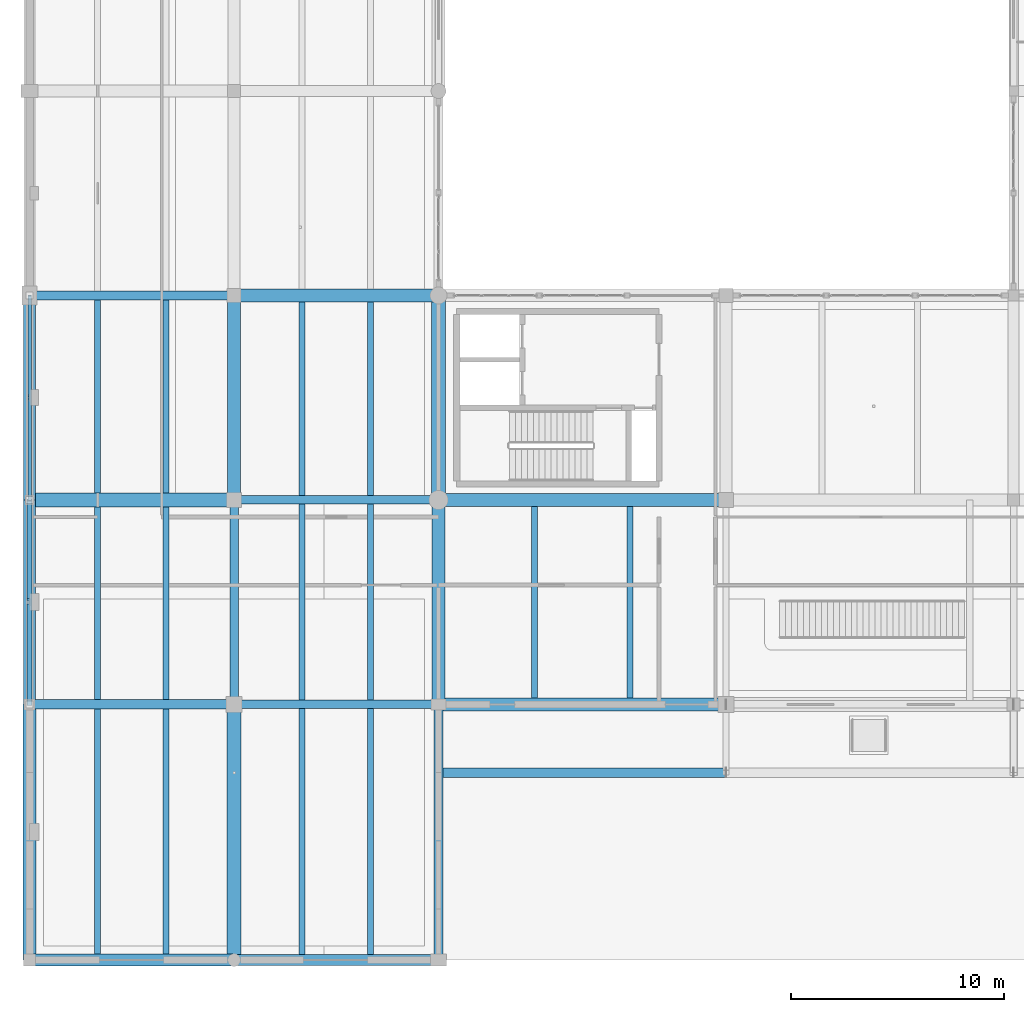
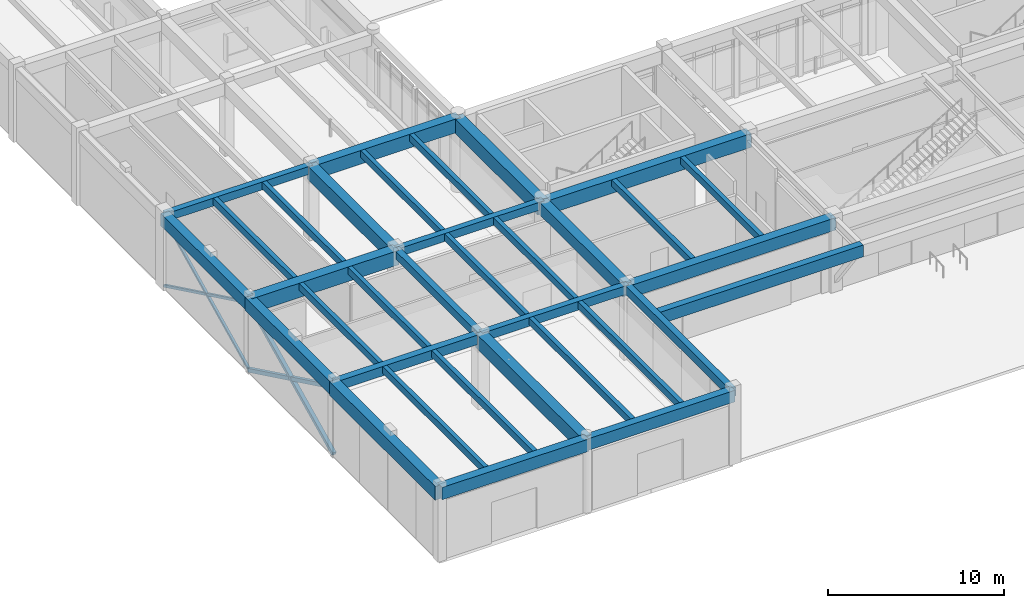
# One storey, part 4 of 138: 34 beams, 6 members.
"""IFC4 building model written with IfcOpenShell, lengths in metres."""

from ifc_helpers import new_model, si_unit, direction, frame, origin, origin_2d, place, context, subcontext, project, spatial, rectangle, hollow_rectangle, extrude, material, material_profile, profile_set, type_object, element, save


model = new_model("IFC4")

# Units and contexts
model_context = context("Model", 3, precision=1e-05, world=origin(), true_north=direction((0.0, 1.0)))
body_context = subcontext(model_context, "Body", "Model", "MODEL_VIEW")
ifc_project = project(units=[si_unit("LENGTHUNIT", "METRE"), si_unit("AREAUNIT", "SQUARE_METRE"), si_unit("VOLUMEUNIT", "CUBIC_METRE"), si_unit("PLANEANGLEUNIT", "RADIAN"), si_unit("MASSUNIT", "GRAM", prefix="KILO")], contexts=[model_context])

# Site, building, storey
site_placement = place(None, origin())
site = spatial("IfcSite", under=ifc_project, at=site_placement, CompositionType="ELEMENT")
building_placement = place(site_placement, origin())
building = spatial("IfcBuilding", under=site, at=building_placement, Name="Fikremerkos Civic Library", CompositionType="ELEMENT")
storey_placement = place(building_placement, origin())
storey = spatial("IfcBuildingStorey", under=building, at=storey_placement, Name="L00", CompositionType="ELEMENT", Elevation=0.0)

# Members
ifc_material_1 = material(Name="Steel S355", Category="steel")
ifc_material_profile_1 = material_profile(ifc_material_1, hollow_rectangle(XDim=0.25, YDim=0.25, WallThickness=0.012451171875, at=origin_2d()), Name="SHS 250x250x12.5")
ifc_profile_set_1 = profile_set([ifc_material_profile_1], Name="Steel S355")
member_type_1 = type_object("IfcMemberType", Name="Diagonal brace BRC-01 SHS 250x250x12.5", PredefinedType="BRACE", material=ifc_profile_set_1)
member_1_placement = place(storey_placement, frame((0.0, 12.0, 0.0), z_axis=(0.0, 0.899986655298, 0.435917446641), x_axis=(-1.0, 0.0, 0.0)))
element("IfcMember", 1, at=member_1_placement, inside=storey, type_object=member_type_1, Name="Lateral X-brace continuous diagonal BRC-01 L00 #5", PredefinedType="BRACE", context=body_context, shape_type="SweptSolid", body=[
    extrude(hollow_rectangle(XDim=0.25, YDim=0.25, WallThickness=0.012451171875, at=origin_2d()), origin(), (0.0, 0.0, 1.0), 10.6669921875),
])
for number, where, z_axis, x_axis, name in (
    (2, (0.0, 21.60009765625, 0.0), (0.0, -0.899981900492, 0.435927263184), (1.0, 0.0, 0.0), "Lateral X-brace split lower segment BRC-01 L00 #5"),
    (3, (0.0, 16.67138671875, 2.387451171875), (0.0, -0.900000353439, 0.435889164593), (1.0, 0.0, 0.0), "Lateral X-brace split upper segment BRC-01 L00 #5"),
):
    element("IfcMember", number, at=place(storey_placement, frame(where, z_axis=z_axis, x_axis=x_axis)), inside=storey, type_object=member_type_1, Name=name, PredefinedType="BRACE", context=body_context, shape_type="SweptSolid", body=[
        extrude(hollow_rectangle(XDim=0.25, YDim=0.25, WallThickness=0.012451171875, at=origin_2d()), origin(), (0.0, 0.0, 1.0), 5.1904296875),
    ])
ifc_material_profile_2 = material_profile(ifc_material_1, hollow_rectangle(XDim=0.159912109375, YDim=0.159912109375, WallThickness=0.008056640625, at=origin_2d()), Name="SHS 160x160x8")
ifc_profile_set_2 = profile_set([ifc_material_profile_2], Name="Steel S355")
member_type_2 = type_object("IfcMemberType", Name="Diagonal brace BRC-03 SHS 160x160x8", PredefinedType="BRACE", material=ifc_profile_set_2)
member_2_placement = place(storey_placement, frame((0.0, 21.60009765625, 0.0), z_axis=(0.0, 0.899982305968, 0.435926426069), x_axis=(-1.0, 0.0, 0.0)))
element("IfcMember", 4, at=member_2_placement, inside=storey, type_object=member_type_2, Name="Lateral X-brace continuous diagonal BRC-03 L00 #6", PredefinedType="BRACE", context=body_context, shape_type="SweptSolid", body=[
    extrude(hollow_rectangle(XDim=0.159912109375, YDim=0.159912109375, WallThickness=0.008056640625, at=origin_2d()), origin(), (0.0, 0.0, 1.0), 10.666748046875),
])
for number, where, z_axis, x_axis, name in (
    (5, (0.0, 31.199951171875, 0.0), (0.0, -0.899980466215, 0.435930224269), (1.0, 0.0, 0.0), "Lateral X-brace split lower segment BRC-03 L00 #6"),
    (6, (0.0, 26.311767578125, 2.36767578125), (0.0, -0.899980466215, 0.435930224269), (1.0, 0.0, 0.0), "Lateral X-brace split upper segment BRC-03 L00 #6"),
):
    element("IfcMember", number, at=place(storey_placement, frame(where, z_axis=z_axis, x_axis=x_axis)), inside=storey, type_object=member_type_2, Name=name, PredefinedType="BRACE", context=body_context, shape_type="SweptSolid", body=[
        extrude(hollow_rectangle(XDim=0.159912109375, YDim=0.159912109375, WallThickness=0.008056640625, at=origin_2d()), origin(), (0.0, 0.0, 1.0), 5.2353515625),
    ])

# Beams
ifc_material_2 = material(Name="Concrete C40/50", Category="concrete")
ifc_material_profile_3 = material_profile(ifc_material_2, rectangle(XDim=0.280029296875, YDim=0.47998046875, at=origin_2d()), Name="RC 280x480")
ifc_profile_set_3 = profile_set([ifc_material_profile_3], Name="Concrete C40/50")
beam_type_1 = type_object("IfcBeamType", Name="Floor joist JS-04 RC 280x480", PredefinedType="JOIST", material=ifc_profile_set_3)
for number, where, z_axis, x_axis, name in (
    (7, (3.199951171875, 0.27490234375, 4.860107421875), (0.0, 1.0, 0.0), (-1.0, 0.0, 0.0), "Floor joist JS-04 L00 #269"),
    (8, (6.39990234375, 0.27490234375, 4.860107421875), (0.0, 1.0, 0.0), (-1.0, 0.0, 0.0), "Floor joist JS-04 L00 #270"),
):
    element("IfcBeam", number, at=place(storey_placement, frame(where, z_axis=z_axis, x_axis=x_axis)), inside=storey, type_object=beam_type_1, Name=name, PredefinedType="JOIST", context=body_context, shape_type="SweptSolid", body=[
        extrude(rectangle(XDim=0.280029296875, YDim=0.47998046875, at=origin_2d()), origin(), (0.0, 0.0, 1.0), 11.5),
    ])
for number, where, z_axis, x_axis, name in (
    (9, (3.199951171875, 12.22509765625, 4.860107421875), (0.0, 1.0, 0.0), (-1.0, 0.0, 0.0), "Floor joist JS-04 L00 #271"),
    (10, (6.39990234375, 12.22509765625, 4.860107421875), (0.0, 1.0, 0.0), (-1.0, 0.0, 0.0), "Floor joist JS-04 L00 #272"),
):
    element("IfcBeam", number, at=place(storey_placement, frame(where, z_axis=z_axis, x_axis=x_axis)), inside=storey, type_object=beam_type_1, Name=name, PredefinedType="JOIST", context=body_context, shape_type="SweptSolid", body=[
        extrude(rectangle(XDim=0.280029296875, YDim=0.47998046875, at=origin_2d()), origin(), (0.0, 0.0, 1.0), 9.0498046875),
    ])
for number, where, z_axis, x_axis, name in (
    (11, (3.199951171875, 21.925048828125, 4.860107421875), (0.0, 1.0, 0.0), (-1.0, 0.0, 0.0), "Floor joist JS-04 L00 #273"),
    (12, (6.39990234375, 21.925048828125, 4.860107421875), (0.0, 1.0, 0.0), (-1.0, 0.0, 0.0), "Floor joist JS-04 L00 #274"),
):
    element("IfcBeam", number, at=place(storey_placement, frame(where, z_axis=z_axis, x_axis=x_axis)), inside=storey, type_object=beam_type_1, Name=name, PredefinedType="JOIST", context=body_context, shape_type="SweptSolid", body=[
        extrude(rectangle(XDim=0.280029296875, YDim=0.47998046875, at=origin_2d()), origin(), (0.0, 0.0, 1.0), 9.074951171875),
    ])
for number, where, z_axis, x_axis, name in (
    (13, (12.800048828125, 0.25, 4.860107421875), (0.0, 1.0, 0.0), (-1.0, 0.0, 0.0), "Floor joist JS-04 L00 #290"),
    (14, (16.0, 0.25, 4.860107421875), (0.0, 1.0, 0.0), (-1.0, 0.0, 0.0), "Floor joist JS-04 L00 #291"),
):
    element("IfcBeam", number, at=place(storey_placement, frame(where, z_axis=z_axis, x_axis=x_axis)), inside=storey, type_object=beam_type_1, Name=name, PredefinedType="JOIST", context=body_context, shape_type="SweptSolid", body=[
        extrude(rectangle(XDim=0.280029296875, YDim=0.47998046875, at=origin_2d()), origin(), (0.0, 0.0, 1.0), 11.550048828125),
    ])
for number, where, z_axis, x_axis, name in (
    (15, (12.800048828125, 12.199951171875, 4.860107421875), (0.0, 1.0, 0.0), (-1.0, 0.0, 0.0), "Floor joist JS-04 L00 #292"),
    (16, (16.0, 12.199951171875, 4.860107421875), (0.0, 1.0, 0.0), (-1.0, 0.0, 0.0), "Floor joist JS-04 L00 #293"),
):
    element("IfcBeam", number, at=place(storey_placement, frame(where, z_axis=z_axis, x_axis=x_axis)), inside=storey, type_object=beam_type_1, Name=name, PredefinedType="JOIST", context=body_context, shape_type="SweptSolid", body=[
        extrude(rectangle(XDim=0.280029296875, YDim=0.47998046875, at=origin_2d()), origin(), (0.0, 0.0, 1.0), 9.199951171875),
    ])
for number, where, z_axis, x_axis, name in (
    (17, (12.800048828125, 21.800048828125, 4.860107421875), (0.0, 1.0, 0.0), (-1.0, 0.0, 0.0), "Floor joist JS-04 L00 #294"),
    (18, (16.0, 21.800048828125, 4.860107421875), (0.0, 1.0, 0.0), (-1.0, 0.0, 0.0), "Floor joist JS-04 L00 #295"),
):
    element("IfcBeam", number, at=place(storey_placement, frame(where, z_axis=z_axis, x_axis=x_axis)), inside=storey, type_object=beam_type_1, Name=name, PredefinedType="JOIST", context=body_context, shape_type="SweptSolid", body=[
        extrude(rectangle(XDim=0.280029296875, YDim=0.47998046875, at=origin_2d()), origin(), (0.0, 0.0, 1.0), 9.099853515625),
    ])
for number, where, z_axis, x_axis, name in (
    (19, (23.699951171875, 12.300048828125, 4.840087890625), (0.0, 1.0, 0.0), (-1.0, 0.0, 0.0), "Floor joist JS-04 L00 #300"),
    (20, (28.199951171875, 12.300048828125, 4.840087890625), (0.0, 1.0, 0.0), (-1.0, 0.0, 0.0), "Floor joist JS-04 L00 #301"),
):
    element("IfcBeam", number, at=place(storey_placement, frame(where, z_axis=z_axis, x_axis=x_axis)), inside=storey, type_object=beam_type_1, Name=name, PredefinedType="JOIST", context=body_context, shape_type="SweptSolid", body=[
        extrude(rectangle(XDim=0.280029296875, YDim=0.47998046875, at=origin_2d()), origin(), (0.0, 0.0, 1.0), 9.0),
    ])
ifc_material_profile_4 = material_profile(ifc_material_2, rectangle(XDim=0.60009765625, YDim=0.949951171875, at=origin_2d()), Name="RC 600x950")
ifc_profile_set_4 = profile_set([ifc_material_profile_4], Name="Concrete C40/50")
beam_type_2 = type_object("IfcBeamType", Name="Primary girder BM-01 RC 600x950", PredefinedType="BEAM", material=ifc_profile_set_4)
beam_1_placement = place(storey_placement, frame((19.199951171875, 21.60009765625, 4.60498046875), z_axis=(1.0, 0.0, 0.0), x_axis=(0.0, 1.0, 0.0)))
element("IfcBeam", 21, at=beam_1_placement, inside=storey, type_object=beam_type_2, Name="Primary girder BM-01 L00 grid F", PredefinedType="BEAM", context=body_context, shape_type="SweptSolid", body=[
    extrude(rectangle(XDim=0.60009765625, YDim=0.949951171875, at=origin_2d()), origin(), (0.0, 0.0, 1.0), 13.5),
])
beam_2_placement = place(storey_placement, frame((9.60009765625, 31.199951171875, 4.625), z_axis=(1.0, 0.0, 0.0), x_axis=(0.0, 1.0, 0.0)))
element("IfcBeam", 22, at=beam_2_placement, inside=storey, type_object=beam_type_2, Name="Primary girder BM-01 L00 grid G", PredefinedType="BEAM", context=body_context, shape_type="SweptSolid", body=[
    extrude(rectangle(XDim=0.60009765625, YDim=0.949951171875, at=origin_2d()), origin(), (0.0, 0.0, 1.0), 9.599853515625),
])
beam_3_placement = place(storey_placement, frame((0.0, 0.0, 4.625), z_axis=(0.0, 1.0, 0.0), x_axis=(-1.0, 0.0, 0.0)))
element("IfcBeam", 23, at=beam_3_placement, inside=storey, type_object=beam_type_2, Name="Primary girder BM-01 L00 grid 1", PredefinedType="BEAM", context=body_context, shape_type="SweptSolid", body=[
    extrude(rectangle(XDim=0.60009765625, YDim=0.949951171875, at=origin_2d()), origin(), (0.0, 0.0, 1.0), 12.0),
])
beam_4_placement = place(storey_placement, frame((9.60009765625, 21.60009765625, 4.625), z_axis=(0.0, 1.0, 0.0), x_axis=(-1.0, 0.0, 0.0)))
element("IfcBeam", 24, at=beam_4_placement, inside=storey, type_object=beam_type_2, Name="Primary girder BM-01 L00 grid 2", PredefinedType="BEAM", context=body_context, shape_type="SweptSolid", body=[
    extrude(rectangle(XDim=0.60009765625, YDim=0.949951171875, at=origin_2d()), origin(), (0.0, 0.0, 1.0), 9.599853515625),
])
ifc_material_profile_5 = material_profile(ifc_material_2, rectangle(XDim=0.550048828125, YDim=0.89990234375, at=origin_2d()), Name="RC 550x900")
ifc_profile_set_5 = profile_set([ifc_material_profile_5], Name="Concrete C40/50")
beam_type_3 = type_object("IfcBeamType", Name="Primary girder BM-02 RC 550x900", PredefinedType="BEAM", material=ifc_profile_set_5)
beam_5_placement = place(storey_placement, frame((0.0, 12.0, 4.64990234375), z_axis=(0.0, 1.0, 0.0), x_axis=(-1.0, 0.0, 0.0)))
element("IfcBeam", 25, at=beam_5_placement, inside=storey, type_object=beam_type_3, Name="Primary girder BM-02 L00 grid 1", PredefinedType="BEAM", context=body_context, shape_type="SweptSolid", body=[
    extrude(rectangle(XDim=0.550048828125, YDim=0.89990234375, at=origin_2d()), origin(), (0.0, 0.0, 1.0), 9.60009765625),
])
ifc_material_profile_6 = material_profile(ifc_material_2, rectangle(XDim=0.550048828125, YDim=0.85009765625, at=origin_2d()), Name="RC 550x850")
ifc_profile_set_6 = profile_set([ifc_material_profile_6], Name="Concrete C40/50")
beam_type_4 = type_object("IfcBeamType", Name="Primary girder BM-03 RC 550x850", PredefinedType="BEAM", material=ifc_profile_set_6)
beam_6_placement = place(storey_placement, frame((0.0, 0.0, 4.675048828125), z_axis=(1.0, 0.0, 0.0), x_axis=(0.0, 1.0, 0.0)))
element("IfcBeam", 26, at=beam_6_placement, inside=storey, type_object=beam_type_4, Name="Primary girder BM-03 L00 grid A", PredefinedType="BEAM", context=body_context, shape_type="SweptSolid", body=[
    extrude(rectangle(XDim=0.550048828125, YDim=0.85009765625, at=origin_2d()), origin(), (0.0, 0.0, 1.0), 9.60009765625),
])
beam_7_placement = place(storey_placement, frame((0.0, 21.60009765625, 4.675048828125), z_axis=(0.0, 1.0, 0.0), x_axis=(-1.0, 0.0, 0.0)))
element("IfcBeam", 27, at=beam_7_placement, inside=storey, type_object=beam_type_4, Name="Primary girder BM-03 L00 grid 1", PredefinedType="BEAM", context=body_context, shape_type="SweptSolid", body=[
    extrude(rectangle(XDim=0.550048828125, YDim=0.85009765625, at=origin_2d()), origin(), (0.0, 0.0, 1.0), 9.599853515625),
])
ifc_material_profile_7 = material_profile(ifc_material_2, rectangle(XDim=0.5, YDim=0.800048828125, at=origin_2d()), Name="RC 500x800")
ifc_profile_set_7 = profile_set([ifc_material_profile_7], Name="Concrete C40/50")
beam_type_5 = type_object("IfcBeamType", Name="Primary girder BM-04 RC 500x800", PredefinedType="BEAM", material=ifc_profile_set_7)
beam_8_placement = place(storey_placement, frame((9.60009765625, 0.0, 4.699951171875), z_axis=(1.0, 0.0, 0.0), x_axis=(0.0, 1.0, 0.0)))
element("IfcBeam", 28, at=beam_8_placement, inside=storey, type_object=beam_type_5, Name="Primary girder BM-04 L00 grid A", PredefinedType="BEAM", context=body_context, shape_type="SweptSolid", body=[
    extrude(rectangle(XDim=0.5, YDim=0.800048828125, at=origin_2d()), origin(), (0.0, 0.0, 1.0), 9.599853515625),
])
ifc_material_profile_8 = material_profile(ifc_material_2, rectangle(XDim=0.449951171875, YDim=0.64990234375, at=origin_2d()), Name="RC 450x650")
ifc_profile_set_8 = profile_set([ifc_material_profile_8], Name="Concrete C40/50")
beam_type_6 = type_object("IfcBeamType", Name="Primary girder BM-07 RC 450x650", PredefinedType="BEAM", material=ifc_profile_set_8)
beam_9_placement = place(storey_placement, frame((0.0, 12.0, 4.77490234375), z_axis=(1.0, 0.0, 0.0), x_axis=(0.0, 1.0, 0.0)))
element("IfcBeam", 29, at=beam_9_placement, inside=storey, type_object=beam_type_6, Name="Primary girder BM-07 L00 grid E", PredefinedType="BEAM", context=body_context, shape_type="SweptSolid", body=[
    extrude(rectangle(XDim=0.449951171875, YDim=0.64990234375, at=origin_2d()), origin(), (0.0, 0.0, 1.0), 9.60009765625),
])
ifc_material_profile_9 = material_profile(ifc_material_2, rectangle(XDim=0.39990234375, YDim=0.60009765625, at=origin_2d()), Name="RC 400x600")
ifc_profile_set_9 = profile_set([ifc_material_profile_9], Name="Concrete C40/50")
beam_type_7 = type_object("IfcBeamType", Name="Primary girder BM-08 RC 400x600", PredefinedType="BEAM", material=ifc_profile_set_9)
beam_10_placement = place(storey_placement, frame((9.60009765625, 12.0, 4.800048828125), z_axis=(1.0, 0.0, 0.0), x_axis=(0.0, 1.0, 0.0)))
element("IfcBeam", 30, at=beam_10_placement, inside=storey, type_object=beam_type_7, Name="Primary girder BM-08 L00 grid E", PredefinedType="BEAM", context=body_context, shape_type="SweptSolid", body=[
    extrude(rectangle(XDim=0.39990234375, YDim=0.60009765625, at=origin_2d()), origin(), (0.0, 0.0, 1.0), 9.599853515625),
])
beam_11_placement = place(storey_placement, frame((19.199951171875, 0.0, 4.780029296875), z_axis=(0.0, 1.0, 0.0), x_axis=(-1.0, 0.0, 0.0)))
element("IfcBeam", 31, at=beam_11_placement, inside=storey, type_object=beam_type_7, Name="Primary girder BM-08 L00 grid 3", PredefinedType="BEAM", context=body_context, shape_type="SweptSolid", body=[
    extrude(rectangle(XDim=0.39990234375, YDim=0.60009765625, at=origin_2d()), origin(), (0.0, 0.0, 1.0), 12.0),
])
ifc_material_profile_10 = material_profile(ifc_material_2, rectangle(XDim=0.60009765625, YDim=0.85009765625, at=origin_2d()), Name="RC 600x850")
ifc_profile_set_10 = profile_set([ifc_material_profile_10], Name="Concrete C40/50")
beam_type_8 = type_object("IfcBeamType", Name="Primary girder BM-24 RC 600x850", PredefinedType="BEAM", material=ifc_profile_set_10)
beam_12_placement = place(storey_placement, frame((19.199951171875, 12.0, 4.655029296875), z_axis=(1.0, 0.0, 0.0), x_axis=(0.0, 1.0, 0.0)))
element("IfcBeam", 32, at=beam_12_placement, inside=storey, type_object=beam_type_8, Name="Primary girder BM-24 L00 grid E", PredefinedType="BEAM", context=body_context, shape_type="SweptSolid", body=[
    extrude(rectangle(XDim=0.60009765625, YDim=0.85009765625, at=origin_2d()), origin(), (0.0, 0.0, 1.0), 13.5),
])
beam_13_placement = place(storey_placement, frame((19.199951171875, 12.0, 4.655029296875), z_axis=(0.0, 1.0, 0.0), x_axis=(-1.0, 0.0, 0.0)))
element("IfcBeam", 33, at=beam_13_placement, inside=storey, type_object=beam_type_8, Name="Primary girder BM-24 L00 grid 3", PredefinedType="BEAM", context=body_context, shape_type="SweptSolid", body=[
    extrude(rectangle(XDim=0.60009765625, YDim=0.85009765625, at=origin_2d()), origin(), (0.0, 0.0, 1.0), 9.60009765625),
])
ifc_material_3 = material(Name="Concrete C45/55", Category="concrete")
ifc_material_profile_11 = material_profile(ifc_material_3, rectangle(XDim=0.64990234375, YDim=1.0, at=origin_2d()), Name="RC 650x1000")
ifc_profile_set_11 = profile_set([ifc_material_profile_11], Name="Concrete C45/55")
beam_type_9 = type_object("IfcBeamType", Name="Primary girder BM-25 RC 650x1000", PredefinedType="BEAM", material=ifc_profile_set_11)
beam_14_placement = place(storey_placement, frame((0.0, 21.60009765625, 4.60009765625), z_axis=(1.0, 0.0, 0.0), x_axis=(0.0, 1.0, 0.0)))
element("IfcBeam", 34, at=beam_14_placement, inside=storey, type_object=beam_type_9, Name="Primary girder BM-25 L00 grid F", PredefinedType="BEAM", context=body_context, shape_type="SweptSolid", body=[
    extrude(rectangle(XDim=0.64990234375, YDim=1.0, at=origin_2d()), origin(), (0.0, 0.0, 1.0), 9.60009765625),
])
beam_15_placement = place(storey_placement, frame((9.60009765625, 0.0, 4.60009765625), z_axis=(0.0, 1.0, 0.0), x_axis=(-1.0, 0.0, 0.0)))
element("IfcBeam", 35, at=beam_15_placement, inside=storey, type_object=beam_type_9, Name="Primary girder BM-25 L00 grid 2", PredefinedType="BEAM", context=body_context, shape_type="SweptSolid", body=[
    extrude(rectangle(XDim=0.64990234375, YDim=1.0, at=origin_2d()), origin(), (0.0, 0.0, 1.0), 12.0),
])
beam_16_placement = place(storey_placement, frame((19.199951171875, 21.60009765625, 4.580078125), z_axis=(0.0, 1.0, 0.0), x_axis=(-1.0, 0.0, 0.0)))
element("IfcBeam", 36, at=beam_16_placement, inside=storey, type_object=beam_type_9, Name="Primary girder BM-25 L00 grid 3", PredefinedType="BEAM", context=body_context, shape_type="SweptSolid", body=[
    extrude(rectangle(XDim=0.64990234375, YDim=1.0, at=origin_2d()), origin(), (0.0, 0.0, 1.0), 9.599853515625),
])
ifc_material_profile_12 = material_profile(ifc_material_2, rectangle(XDim=0.39990234375, YDim=0.550048828125, at=origin_2d()), Name="RC 400x550")
ifc_profile_set_12 = profile_set([ifc_material_profile_12], Name="Concrete C40/50")
beam_type_10 = type_object("IfcBeamType", Name="Primary girder BM-26 RC 400x550", PredefinedType="BEAM", material=ifc_profile_set_12)
beam_17_placement = place(storey_placement, frame((9.60009765625, 21.60009765625, 4.824951171875), z_axis=(1.0, 0.0, 0.0), x_axis=(0.0, 1.0, 0.0)))
element("IfcBeam", 37, at=beam_17_placement, inside=storey, type_object=beam_type_10, Name="Primary girder BM-26 L00 grid F", PredefinedType="BEAM", context=body_context, shape_type="SweptSolid", body=[
    extrude(rectangle(XDim=0.39990234375, YDim=0.550048828125, at=origin_2d()), origin(), (0.0, 0.0, 1.0), 9.599853515625),
])
for number, where, z_axis, x_axis, name in (
    (38, (0.0, 31.199951171875, 4.824951171875), (1.0, 0.0, 0.0), (0.0, 1.0, 0.0), "Primary girder BM-26 L00 grid G"),
    (39, (9.60009765625, 12.0, 4.824951171875), (0.0, 1.0, 0.0), (-1.0, 0.0, 0.0), "Primary girder BM-26 L00 grid 2"),
):
    element("IfcBeam", number, at=place(storey_placement, frame(where, z_axis=z_axis, x_axis=x_axis)), inside=storey, type_object=beam_type_10, Name=name, PredefinedType="BEAM", context=body_context, shape_type="SweptSolid", body=[
        extrude(rectangle(XDim=0.39990234375, YDim=0.550048828125, at=origin_2d()), origin(), (0.0, 0.0, 1.0), 9.60009765625),
    ])
ifc_material_profile_13 = material_profile(ifc_material_2, rectangle(XDim=0.449951171875, YDim=0.820068359375, at=origin_2d()), Name="RC 450x820")
ifc_profile_set_13 = profile_set([ifc_material_profile_13], Name="Concrete C40/50")
beam_type_11 = type_object("IfcBeamType", Name="Spandrel edge beam SPB-02 RC 450x820", PredefinedType="SPANDREL", material=ifc_profile_set_13)
beam_18_placement = place(storey_placement, frame((19.199951171875, 8.800048828125, 4.669921875), z_axis=(1.0, 0.0, 0.0), x_axis=(0.0, 1.0, 0.0)))
element("IfcBeam", 40, at=beam_18_placement, inside=storey, type_object=beam_type_11, Name="Spandrel edge beam SPB-02 L00 Y=8.8 bay 1", PredefinedType="SPANDREL", context=body_context, shape_type="SweptSolid", body=[
    extrude(rectangle(XDim=0.449951171875, YDim=0.820068359375, at=origin_2d()), origin(), (0.0, 0.0, 1.0), 13.5),
])

save(model, "model.ifc")
